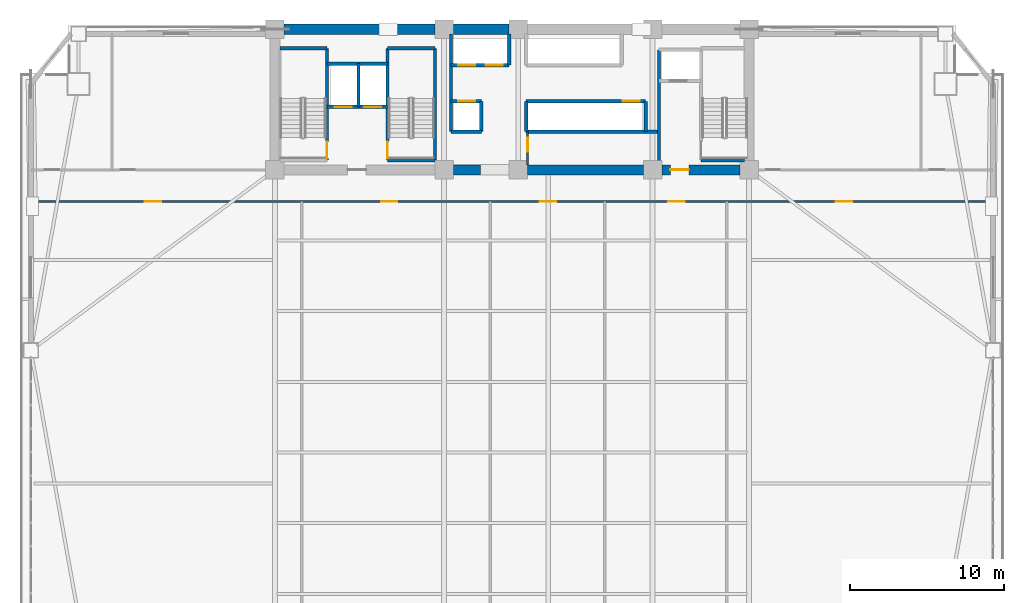
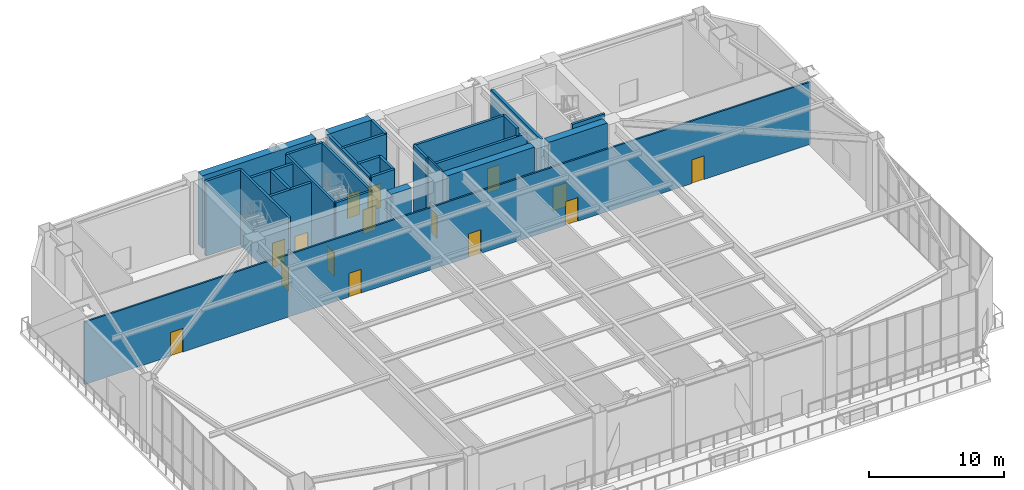
# One storey, part 15 of 22: 28 walls, 15 doors, 15 openings.
"""IFC4 building model written with IfcOpenShell, lengths in metres."""

from ifc_helpers import new_model, si_unit, direction, frame, frame_2d, origin, place, context, subcontext, project, spatial, rectangle, extrude, source, transform, mapped, material, layer, layer_set, type_object, element, fill, save


model = new_model("IFC4")

# Units and contexts
model_context = context("Model", 3, precision=1e-05, world=origin(), true_north=direction((0.0, 1.0)))
body_context = subcontext(model_context, "Body", "Model", "MODEL_VIEW")
ifc_project = project(units=[si_unit("LENGTHUNIT", "METRE"), si_unit("AREAUNIT", "SQUARE_METRE"), si_unit("VOLUMEUNIT", "CUBIC_METRE"), si_unit("PLANEANGLEUNIT", "RADIAN"), si_unit("MASSUNIT", "GRAM", prefix="KILO")], contexts=[model_context])

# Site, building, storey
site_placement = place(None, origin())
site = spatial("IfcSite", under=ifc_project, at=site_placement, CompositionType="ELEMENT")
building_placement = place(site_placement, origin())
building = spatial("IfcBuilding", under=site, at=building_placement, Name="Giltprow Tower", CompositionType="ELEMENT")
storey_placement = place(building_placement, frame((0.0, 0.0, 72.800048828125)))
storey = spatial("IfcBuildingStorey", under=building, at=storey_placement, Name="L18", CompositionType="ELEMENT", Elevation=72.800048828125)

# Wall, openings, doors
ifc_material_1 = material(Name="Gypsum stud partition", Category="gypsum")
ifc_layer_1 = layer(ifc_material_1, 0.14990234375, Name="Gypsum stud partition")
ifc_layer_set_1 = layer_set([ifc_layer_1], Name="Gypsum stud partition")
wall_type_1 = type_object("IfcWallType", Name="IW-CORR-150", PredefinedType="PARTITIONING", material=ifc_layer_set_1)
wall_1_placement = place(storey_placement, frame((4.0400390625, 35.39990234375, 0.0), z_axis=(0.0, 0.0, 1.0), x_axis=(1.0, 0.0, 0.0)))
wall_1 = element("IfcWall", 1, at=wall_1_placement, inside=storey, type_object=wall_type_1, Name="L18 Sky Lobby Concourse Wall", PredefinedType="PARTITIONING", context=body_context, shape_type="SweptSolid", body=[
    extrude(rectangle(XDim=62.321044921875, YDim=0.14990234375, at=frame_2d((31.16064453125, 0.0))), origin(), (0.0, 0.0, 1.0), 5.6650390625),
])
opening_1_placement = place(wall_1_placement, frame((7.39404296875, 0.0, 0.0)))
opening_1 = element("IfcOpeningElement", 2, at=opening_1_placement, cuts=wall_1, Name="Opening ID31", PredefinedType="OPENING", context=body_context, shape_type="SweptSolid", body=[
    extrude(rectangle(XDim=1.050048828125, YDim=2.14990234375, at=frame_2d((0.52490234375, 1.074951171875))), frame((0.0, 0.0849609375, 0.0), z_axis=(0.0, -1.0, 0.0), x_axis=(1.0, 0.0, 0.0)), (0.0, 0.0, 1.0), 0.169921875),
])
opening_2_placement = place(wall_1_placement, frame((22.68994140625, 0.0, 0.0)))
opening_2 = element("IfcOpeningElement", 3, at=opening_2_placement, cuts=wall_1, Name="Opening ID31", PredefinedType="OPENING", context=body_context, shape_type="SweptSolid", body=[
    extrude(rectangle(XDim=1.050048828125, YDim=2.14990234375, at=frame_2d((0.52490234375, 1.074951171875))), frame((0.0, 0.0849609375, 0.0), z_axis=(0.0, -1.0, 0.0), x_axis=(1.0, 0.0, 0.0)), (0.0, 0.0, 1.0), 0.169921875),
])
opening_3_placement = place(wall_1_placement, frame((32.969970703125, 0.0, 0.0)))
opening_3 = element("IfcOpeningElement", 4, at=opening_3_placement, cuts=wall_1, Name="Opening ID31", PredefinedType="OPENING", context=body_context, shape_type="SweptSolid", body=[
    extrude(rectangle(XDim=1.050048828125, YDim=2.14990234375, at=frame_2d((0.52490234375, 1.074951171875))), frame((0.0, 0.0849609375, 0.0), z_axis=(0.0, -1.0, 0.0), x_axis=(1.0, 0.0, 0.0)), (0.0, 0.0, 1.0), 0.169921875),
])
opening_4_placement = place(wall_1_placement, frame((41.2900390625, 0.0, 0.0)))
opening_4 = element("IfcOpeningElement", 5, at=opening_4_placement, cuts=wall_1, Name="Opening ID31", PredefinedType="OPENING", context=body_context, shape_type="SweptSolid", body=[
    extrude(rectangle(XDim=1.050048828125, YDim=2.14990234375, at=frame_2d((0.52490234375, 1.074951171875))), frame((0.0, 0.0849609375, 0.0), z_axis=(0.0, -1.0, 0.0), x_axis=(1.0, 0.0, 0.0)), (0.0, 0.0, 1.0), 0.169921875),
])
opening_5_placement = place(wall_1_placement, frame((52.134033203125, 0.0, 0.0)))
opening_5 = element("IfcOpeningElement", 6, at=opening_5_placement, cuts=wall_1, Name="Opening ID31", PredefinedType="OPENING", context=body_context, shape_type="SweptSolid", body=[
    extrude(rectangle(XDim=1.050048828125, YDim=2.14990234375, at=frame_2d((0.52490234375, 1.074951171875))), frame((0.0, 0.0849609375, 0.0), z_axis=(0.0, -1.0, 0.0), x_axis=(1.0, 0.0, 0.0)), (0.0, 0.0, 1.0), 0.169921875),
])
ifc_material_2 = material(Name="Engineered timber", Category="wood")
door_type_1 = type_object("IfcDoorType", Name="DR-SUITE-1050", OperationType="SINGLE_SWING_LEFT", PredefinedType="DOOR", material=ifc_material_2)
shared_shape_1 = source(origin(), body_context, "Body", "SweptSolid", [
    extrude(rectangle(XDim=1.050048828125, YDim=2.14990234375, at=frame_2d((0.52490234375, 1.074951171875))), frame((0.0, 0.02490234375, 0.0), z_axis=(0.0, -1.0, 0.0), x_axis=(1.0, 0.0, 0.0)), (0.0, 0.0, 1.0), 0.050048828125),
])
door_1_placement = place(opening_1_placement, origin())
door_1 = element("IfcDoor", 7, at=door_1_placement, inside=storey, type_object=door_type_1, Name="L18 Low-Zone Sky Conservatory Lounge Door", OperationType="SINGLE_SWING_RIGHT", OverallHeight=2.14990234375, OverallWidth=1.050048828125, PredefinedType="DOOR", context=body_context, shape_type="MappedRepresentation", body=[
    mapped(shared_shape_1, transform((0.0, 0.0, 0.0), x_axis=(1.0, 0.0, 0.0), y_axis=(0.0, 1.0, 0.0), z_axis=(0.0, 0.0, 1.0), scale=1.0)),
])
fill(opening_1, door_1)
door_2_placement = place(opening_2_placement, origin())
door_2 = element("IfcDoor", 8, at=door_2_placement, inside=storey, type_object=door_type_1, Name="L18 Executive Espresso Kitchen Door", OperationType="SINGLE_SWING_LEFT", OverallHeight=2.14990234375, OverallWidth=1.050048828125, PredefinedType="DOOR", context=body_context, shape_type="MappedRepresentation", body=[
    mapped(shared_shape_1, transform((0.0, 0.0, 0.0), x_axis=(1.0, 0.0, 0.0), y_axis=(0.0, 1.0, 0.0), z_axis=(0.0, 0.0, 1.0), scale=1.0)),
])
fill(opening_2, door_2)
door_3_placement = place(opening_3_placement, origin())
door_3 = element("IfcDoor", 9, at=door_3_placement, inside=storey, type_object=door_type_1, Name="L18 Harbour Co-Working Office Door", OperationType="SINGLE_SWING_RIGHT", OverallHeight=2.14990234375, OverallWidth=1.050048828125, PredefinedType="DOOR", context=body_context, shape_type="MappedRepresentation", body=[
    mapped(shared_shape_1, transform((0.0, 0.0, 0.0), x_axis=(1.0, 0.0, 0.0), y_axis=(0.0, 1.0, 0.0), z_axis=(0.0, 0.0, 1.0), scale=1.0)),
])
fill(opening_3, door_3)
door_4_placement = place(opening_4_placement, origin())
door_4 = element("IfcDoor", 10, at=door_4_placement, inside=storey, type_object=door_type_1, Name="L18 Board Briefing Meeting Room Door", OperationType="SINGLE_SWING_LEFT", OverallHeight=2.14990234375, OverallWidth=1.050048828125, PredefinedType="DOOR", context=body_context, shape_type="MappedRepresentation", body=[
    mapped(shared_shape_1, transform((0.0, 0.0, 0.0), x_axis=(1.0, 0.0, 0.0), y_axis=(0.0, 1.0, 0.0), z_axis=(0.0, 0.0, 1.0), scale=1.0)),
])
fill(opening_4, door_4)
door_5_placement = place(opening_5_placement, origin())
door_5 = element("IfcDoor", 11, at=door_5_placement, inside=storey, type_object=door_type_1, Name="L18 Sky Gift Boutique Shop Door", OperationType="SINGLE_SWING_RIGHT", OverallHeight=2.14990234375, OverallWidth=1.050048828125, PredefinedType="DOOR", context=body_context, shape_type="MappedRepresentation", body=[
    mapped(shared_shape_1, transform((0.0, 0.0, 0.0), x_axis=(1.0, 0.0, 0.0), y_axis=(0.0, 1.0, 0.0), z_axis=(0.0, 0.0, 1.0), scale=1.0)),
])
fill(opening_5, door_5)

ifc_material_3 = material(Name="Concrete C40", Category="concrete")
ifc_layer_2 = layer(ifc_material_3, 0.219970703125, Name="Concrete C40")
ifc_layer_set_2 = layer_set([ifc_layer_2], Name="Concrete C40")
wall_type_2 = type_object("IfcWallType", Name="IW-SHAFT-220", PredefinedType="SOLIDWALL", material=ifc_layer_set_2)
wall_2_placement = place(storey_placement, frame((23.219970703125, 41.52001953125, 0.0), z_axis=(0.0, 0.0, 1.0), x_axis=(1.0, 0.0, 0.0)))
wall_2 = element("IfcWall", 12, at=wall_2_placement, inside=storey, type_object=wall_type_2, Name="L18 FFL1 and Service Lift Front Wall", PredefinedType="SOLIDWALL", context=body_context, shape_type="SweptSolid", body=[
    extrude(rectangle(XDim=3.919921875, YDim=0.219970703125, at=frame_2d((1.9599609375, 0.0))), origin(), (0.0, 0.0, 1.0), 6.579833984375),
])
opening_6_placement = place(wall_2_placement, frame((0.5, 0.0, 0.0)))
opening_6 = element("IfcOpeningElement", 13, at=opening_6_placement, cuts=wall_2, Name="Opening LD-11", PredefinedType="OPENING", context=body_context, shape_type="SweptSolid", body=[
    extrude(rectangle(XDim=1.10009765625, YDim=2.199951171875, at=frame_2d((0.550048828125, 1.10009765625))), frame((0.0, 0.119873046875, 0.0), z_axis=(0.0, -1.0, 0.0), x_axis=(1.0, 0.0, 0.0)), (0.0, 0.0, 1.0), 0.239990234375),
])
opening_7_placement = place(wall_2_placement, frame((2.39990234375, 0.0, 0.0)))
opening_7 = element("IfcOpeningElement", 14, at=opening_7_placement, cuts=wall_2, Name="Opening LD-11", PredefinedType="OPENING", context=body_context, shape_type="SweptSolid", body=[
    extrude(rectangle(XDim=1.10009765625, YDim=2.199951171875, at=frame_2d((0.550048828125, 1.10009765625))), frame((0.0, 0.119873046875, 0.0), z_axis=(0.0, -1.0, 0.0), x_axis=(1.0, 0.0, 0.0)), (0.0, 0.0, 1.0), 0.239990234375),
])
ifc_material_4 = material(Name="Stainless steel", Category="steel")
door_type_2 = type_object("IfcDoorType", Name="DR-LIFT-LD1100", OperationType="SLIDING_TO_LEFT", PredefinedType="DOOR", material=ifc_material_4)
shared_shape_2 = source(origin(), body_context, "Body", "SweptSolid", [
    extrude(rectangle(XDim=1.10009765625, YDim=2.199951171875, at=frame_2d((0.550048828125, 1.10009765625))), frame((0.0, 0.02490234375, 0.0), z_axis=(0.0, -1.0, 0.0), x_axis=(1.0, 0.0, 0.0)), (0.0, 0.0, 1.0), 0.050048828125),
])
door_6_placement = place(opening_6_placement, origin())
door_6 = element("IfcDoor", 15, at=door_6_placement, inside=storey, type_object=door_type_2, Name="L18 FFL1 Landing Door", OperationType="SLIDING_TO_LEFT", OverallHeight=2.199951171875, OverallWidth=1.10009765625, PredefinedType="DOOR", context=body_context, shape_type="MappedRepresentation", body=[
    mapped(shared_shape_2, transform((0.0, 0.0, 0.0), x_axis=(1.0, 0.0, 0.0), y_axis=(0.0, 1.0, 0.0), z_axis=(0.0, 0.0, 1.0), scale=1.0)),
])
fill(opening_6, door_6)
door_7_placement = place(opening_7_placement, origin())
door_7 = element("IfcDoor", 16, at=door_7_placement, inside=storey, type_object=door_type_2, Name="L18 SVL1 Landing Door", OperationType="SLIDING_TO_LEFT", OverallHeight=2.199951171875, OverallWidth=1.10009765625, PredefinedType="DOOR", context=body_context, shape_type="MappedRepresentation", body=[
    mapped(shared_shape_2, transform((0.0, 0.0, 0.0), x_axis=(1.0, 0.0, 0.0), y_axis=(0.0, 1.0, 0.0), z_axis=(0.0, 0.0, 1.0), scale=1.0)),
])
fill(opening_7, door_7)

# Walls
wall_3_placement = place(storey_placement, frame((25.260009765625, 41.52001953125, 0.0), z_axis=(0.0, 0.0, 1.0), x_axis=(0.0, 1.0, 0.0)))
element("IfcWall", 17, at=wall_3_placement, inside=storey, type_object=wall_type_2, Name="L18 FFL1-SVL1 Shaft Divider", PredefinedType="SOLIDWALL", context=body_context, shape_type="SweptSolid", body=[
    extrude(rectangle(XDim=2.800048828125, YDim=0.219970703125, at=frame_2d((1.39990234375, 0.0))), origin(), (0.0, 0.0, 1.0), 6.579833984375),
])
wall_4_placement = place(storey_placement, frame((23.219970703125, 44.320068359375, 0.0), z_axis=(0.0, 0.0, 1.0), x_axis=(1.0, 0.0, 0.0)))
element("IfcWall", 18, at=wall_4_placement, inside=storey, type_object=wall_type_2, Name="L18 FFL1-SVL1 Back Shaft Wall", PredefinedType="SOLIDWALL", context=body_context, shape_type="SweptSolid", body=[
    extrude(rectangle(XDim=3.919921875, YDim=0.219970703125, at=frame_2d((1.9599609375, 0.0))), origin(), (0.0, 0.0, 1.0), 6.579833984375),
])
wall_5_placement = place(storey_placement, frame((44.719970703125, 37.7548828125, 0.0), z_axis=(0.0, 0.0, 1.0), x_axis=(0.0, 1.0, 0.0)))
element("IfcWall", 19, at=wall_5_placement, inside=storey, type_object=wall_type_2, Name="L18 East Firefighting Lobby West Wall", PredefinedType="SOLIDWALL", context=body_context, shape_type="SweptSolid", body=[
    extrude(rectangle(XDim=7.465087890625, YDim=0.219970703125, at=frame_2d((3.732421875, 0.0))), origin(), (0.0, 0.0, 1.0), 6.579833984375),
])

# Wall, openings, doors
wall_6_placement = place(storey_placement, frame((31.25, 44.219970703125, 0.0), z_axis=(0.0, 0.0, 1.0), x_axis=(1.0, 0.0, 0.0)))
wall_6 = element("IfcWall", 20, at=wall_6_placement, inside=storey, type_object=wall_type_2, Name="L18 North West Lift Shaft Front Wall", PredefinedType="SOLIDWALL", context=body_context, shape_type="SweptSolid", body=[
    extrude(rectangle(XDim=3.77001953125, YDim=0.219970703125, at=frame_2d((1.885009765625, 0.0))), origin(), (0.0, 0.0, 1.0), 6.579833984375),
])
opening_8_placement = place(wall_6_placement, frame((0.4599609375, 0.0, 0.0)))
opening_8 = element("IfcOpeningElement", 21, at=opening_8_placement, cuts=wall_6, Name="Opening LD-11", PredefinedType="OPENING", context=body_context, shape_type="SweptSolid", body=[
    extrude(rectangle(XDim=1.10009765625, YDim=2.199951171875, at=frame_2d((0.550048828125, 1.10009765625))), frame((0.0, 0.119873046875, 0.0), z_axis=(0.0, -1.0, 0.0), x_axis=(1.0, 0.0, 0.0)), (0.0, 0.0, 1.0), 0.239990234375),
])
opening_9_placement = place(wall_6_placement, frame((2.239990234375, 0.0, 0.0)))
opening_9 = element("IfcOpeningElement", 22, at=opening_9_placement, cuts=wall_6, Name="Opening LD-11", PredefinedType="OPENING", context=body_context, shape_type="SweptSolid", body=[
    extrude(rectangle(XDim=1.10009765625, YDim=2.199951171875, at=frame_2d((0.550048828125, 1.10009765625))), frame((0.0, 0.119873046875, 0.0), z_axis=(0.0, -1.0, 0.0), x_axis=(1.0, 0.0, 0.0)), (0.0, 0.0, 1.0), 0.239990234375),
])
door_8_placement = place(opening_8_placement, origin())
door_8 = element("IfcDoor", 23, at=door_8_placement, inside=storey, type_object=door_type_2, Name="L18 PL-L1 Landing Door", OperationType="SLIDING_TO_LEFT", OverallHeight=2.199951171875, OverallWidth=1.10009765625, PredefinedType="DOOR", context=body_context, shape_type="MappedRepresentation", body=[
    mapped(shared_shape_2, transform((0.0, 0.0, 0.0), x_axis=(1.0, 0.0, 0.0), y_axis=(0.0, 1.0, 0.0), z_axis=(0.0, 0.0, 1.0), scale=1.0)),
])
fill(opening_8, door_8)
door_9_placement = place(opening_9_placement, origin())
door_9 = element("IfcDoor", 24, at=door_9_placement, inside=storey, type_object=door_type_2, Name="L18 PL-L2 Landing Door", OperationType="SLIDING_TO_LEFT", OverallHeight=2.199951171875, OverallWidth=1.10009765625, PredefinedType="DOOR", context=body_context, shape_type="MappedRepresentation", body=[
    mapped(shared_shape_2, transform((0.0, 0.0, 0.0), x_axis=(1.0, 0.0, 0.0), y_axis=(0.0, 1.0, 0.0), z_axis=(0.0, 0.0, 1.0), scale=1.0)),
])
fill(opening_9, door_9)

# Wall
wall_7_placement = place(storey_placement, frame((35.02001953125, 44.219970703125, 0.0), z_axis=(0.0, 0.0, 1.0), x_axis=(0.0, 1.0, 0.0)))
element("IfcWall", 25, at=wall_7_placement, inside=storey, type_object=wall_type_2, Name="L18 North West Lift Shaft East Closure", PredefinedType="SOLIDWALL", context=body_context, shape_type="SweptSolid", body=[
    extrude(rectangle(XDim=2.025146484375, YDim=0.219970703125, at=frame_2d((1.0126953125, 0.0))), origin(), (0.0, 0.0, 1.0), 6.579833984375),
])

# Wall, opening, door
wall_8_placement = place(storey_placement, frame((31.25, 41.8798828125, 0.0), z_axis=(0.0, 0.0, 1.0), x_axis=(1.0, 0.0, 0.0)))
wall_8 = element("IfcWall", 26, at=wall_8_placement, inside=storey, type_object=wall_type_2, Name="L18 South West Lift Shaft Front Wall", PredefinedType="SOLIDWALL", context=body_context, shape_type="SweptSolid", body=[
    extrude(rectangle(XDim=1.969970703125, YDim=0.219970703125, at=frame_2d((0.98486328125, 0.0))), origin(), (0.0, 0.0, 1.0), 6.579833984375),
])
opening_10_placement = place(wall_8_placement, frame((0.4599609375, 0.0, 0.0)))
opening_10 = element("IfcOpeningElement", 27, at=opening_10_placement, cuts=wall_8, Name="Opening LD-11", PredefinedType="OPENING", context=body_context, shape_type="SweptSolid", body=[
    extrude(rectangle(XDim=1.10009765625, YDim=2.199951171875, at=frame_2d((0.550048828125, 1.10009765625))), frame((0.0, 0.119873046875, 0.0), z_axis=(0.0, -1.0, 0.0), x_axis=(1.0, 0.0, 0.0)), (0.0, 0.0, 1.0), 0.239990234375),
])
door_10_placement = place(opening_10_placement, origin())
door_10 = element("IfcDoor", 28, at=door_10_placement, inside=storey, type_object=door_type_2, Name="L18 PL-L3 Landing Door", OperationType="SLIDING_TO_LEFT", OverallHeight=2.199951171875, OverallWidth=1.10009765625, PredefinedType="DOOR", context=body_context, shape_type="MappedRepresentation", body=[
    mapped(shared_shape_2, transform((0.0, 0.0, 0.0), x_axis=(1.0, 0.0, 0.0), y_axis=(0.0, 1.0, 0.0), z_axis=(0.0, 0.0, 1.0), scale=1.0)),
])
fill(opening_10, door_10)

wall_9_placement = place(storey_placement, frame((36.1201171875, 41.8798828125, 0.0), z_axis=(0.0, 0.0, 1.0), x_axis=(1.0, 0.0, 0.0)))
wall_9 = element("IfcWall", 29, at=wall_9_placement, inside=storey, type_object=wall_type_2, Name="L18 South East Lift Shaft Front Wall", PredefinedType="SOLIDWALL", context=body_context, shape_type="SweptSolid", body=[
    extrude(rectangle(XDim=7.72998046875, YDim=0.219970703125, at=frame_2d((3.864990234375, 0.0))), origin(), (0.0, 0.0, 1.0), 6.579833984375),
])
opening_11_placement = place(wall_9_placement, frame((6.260009765625, 0.0, 0.0)))
opening_11 = element("IfcOpeningElement", 30, at=opening_11_placement, cuts=wall_9, Name="Opening LD-11", PredefinedType="OPENING", context=body_context, shape_type="SweptSolid", body=[
    extrude(rectangle(XDim=1.10009765625, YDim=2.199951171875, at=frame_2d((0.550048828125, 1.10009765625))), frame((0.0, 0.119873046875, 0.0), z_axis=(0.0, -1.0, 0.0), x_axis=(1.0, 0.0, 0.0)), (0.0, 0.0, 1.0), 0.239990234375),
])
door_11_placement = place(opening_11_placement, origin())
door_11 = element("IfcDoor", 31, at=door_11_placement, inside=storey, type_object=door_type_2, Name="L18 PL-L4 Landing Door", OperationType="SLIDING_TO_LEFT", OverallHeight=2.199951171875, OverallWidth=1.10009765625, PredefinedType="DOOR", context=body_context, shape_type="MappedRepresentation", body=[
    mapped(shared_shape_2, transform((0.0, 0.0, 0.0), x_axis=(1.0, 0.0, 0.0), y_axis=(0.0, 1.0, 0.0), z_axis=(0.0, 0.0, 1.0), scale=1.0)),
])
fill(opening_11, door_11)

# Walls
wall_10_placement = place(storey_placement, frame((31.25, 39.919921875, 0.0), z_axis=(0.0, 0.0, 1.0), x_axis=(1.0, 0.0, 0.0)))
element("IfcWall", 32, at=wall_10_placement, inside=storey, type_object=wall_type_2, Name="L18 Low-Rise South Lift Back Wall", PredefinedType="SOLIDWALL", context=body_context, shape_type="SweptSolid", body=[
    extrude(rectangle(XDim=1.969970703125, YDim=0.219970703125, at=frame_2d((0.98486328125, 0.0))), origin(), (0.0, 0.0, 1.0), 6.579833984375),
])
wall_11_placement = place(storey_placement, frame((33.219970703125, 39.919921875, 0.0), z_axis=(0.0, 0.0, 1.0), x_axis=(0.0, 1.0, 0.0)))
element("IfcWall", 33, at=wall_11_placement, inside=storey, type_object=wall_type_2, Name="L18 Low-Rise South Lift East Closure", PredefinedType="SOLIDWALL", context=body_context, shape_type="SweptSolid", body=[
    extrude(rectangle(XDim=1.9599609375, YDim=0.219970703125, at=frame_2d((0.97998046875, 0.0))), origin(), (0.0, 0.0, 1.0), 6.579833984375),
])
wall_12_placement = place(storey_placement, frame((36.1201171875, 39.919921875, 0.0), z_axis=(0.0, 0.0, 1.0), x_axis=(1.0, 0.0, 0.0)))
element("IfcWall", 34, at=wall_12_placement, inside=storey, type_object=wall_type_2, Name="L18 Express South Shaft Back Wall", PredefinedType="SOLIDWALL", context=body_context, shape_type="SweptSolid", body=[
    extrude(rectangle(XDim=8.599853515625, YDim=0.219970703125, at=frame_2d((4.2998046875, 0.0))), origin(), (0.0, 0.0, 1.0), 5.864990234375),
])
wall_13_placement = place(storey_placement, frame((36.1201171875, 39.919921875, 0.0), z_axis=(0.0, 0.0, 1.0), x_axis=(0.0, 1.0, 0.0)))
element("IfcWall", 35, at=wall_13_placement, inside=storey, type_object=wall_type_2, Name="L18 Express South Shaft West Closure", PredefinedType="SOLIDWALL", context=body_context, shape_type="SweptSolid", body=[
    extrude(rectangle(XDim=1.9599609375, YDim=0.219970703125, at=frame_2d((0.97998046875, 0.0))), origin(), (0.0, 0.0, 1.0), 6.579833984375),
])
wall_14_placement = place(storey_placement, frame((31.25, 39.919921875, 0.0), z_axis=(0.0, 0.0, 1.0), x_axis=(0.0, 1.0, 0.0)))
element("IfcWall", 36, at=wall_14_placement, inside=storey, type_object=wall_type_2, Name="L18 Lift Bank West Closure", PredefinedType="SOLIDWALL", context=body_context, shape_type="SweptSolid", body=[
    extrude(rectangle(XDim=6.3251953125, YDim=0.219970703125, at=frame_2d((3.16259765625, 0.0))), origin(), (0.0, 0.0, 1.0), 6.579833984375),
])
wall_15_placement = place(storey_placement, frame((43.85009765625, 39.919921875, 0.0), z_axis=(0.0, 0.0, 1.0), x_axis=(0.0, 1.0, 0.0)))
element("IfcWall", 37, at=wall_15_placement, inside=storey, type_object=wall_type_2, Name="L18 Lift Bank South-East Closure", PredefinedType="SOLIDWALL", context=body_context, shape_type="SweptSolid", body=[
    extrude(rectangle(XDim=1.9599609375, YDim=0.219970703125, at=frame_2d((0.97998046875, 0.0))), origin(), (0.0, 0.0, 1.0), 6.579833984375),
])

# Wall, opening, door
ifc_layer_3 = layer(ifc_material_3, 0.199951171875, Name="Concrete C40")
ifc_layer_set_3 = layer_set([ifc_layer_3], Name="Concrete C40")
wall_type_3 = type_object("IfcWallType", Name="IW-STAIR-200", PredefinedType="SOLIDWALL", material=ifc_layer_set_3)
wall_16_placement = place(storey_placement, frame((23.219970703125, 38.070068359375, 0.0), z_axis=(0.0, 0.0, 1.0), x_axis=(0.0, 1.0, 0.0)))
wall_16 = element("IfcWall", 38, at=wall_16_placement, inside=storey, type_object=wall_type_3, Name="L18 Stair ST-1 East Bearing Wall", PredefinedType="SOLIDWALL", context=body_context, shape_type="SweptSolid", body=[
    extrude(rectangle(XDim=7.25, YDim=0.199951171875, at=frame_2d((3.625, 0.0))), origin(), (0.0, 0.0, 1.0), 6.800048828125),
])
opening_12_placement = place(wall_16_placement, frame((0.110107421875, 0.0, 0.0)))
opening_12 = element("IfcOpeningElement", 39, at=opening_12_placement, cuts=wall_16, Name="Opening ID33", PredefinedType="OPENING", context=body_context, shape_type="SweptSolid", body=[
    extrude(rectangle(XDim=1.10009765625, YDim=2.14990234375, at=frame_2d((0.550048828125, 1.074951171875))), frame((0.0, 0.10986328125, 0.0), z_axis=(0.0, -1.0, 0.0), x_axis=(1.0, 0.0, 0.0)), (0.0, 0.0, 1.0), 0.219970703125),
])
ifc_material_5 = material(Name="Steel fire leaf", Category="steel")
door_type_3 = type_object("IfcDoorType", Name="DR-STAIR-1100", OperationType="SINGLE_SWING_LEFT", PredefinedType="DOOR", material=ifc_material_5)
shared_shape_3 = source(origin(), body_context, "Body", "SweptSolid", [
    extrude(rectangle(XDim=1.10009765625, YDim=2.14990234375, at=frame_2d((0.550048828125, 1.074951171875))), frame((0.0, 0.02490234375, 0.0), z_axis=(0.0, -1.0, 0.0), x_axis=(1.0, 0.0, 0.0)), (0.0, 0.0, 1.0), 0.050048828125),
])
door_12_placement = place(opening_12_placement, origin())
door_12 = element("IfcDoor", 40, at=door_12_placement, inside=storey, type_object=door_type_3, Name="L18 Stair ST-1 Fire Door", OperationType="SINGLE_SWING_RIGHT", OverallHeight=2.14990234375, OverallWidth=1.10009765625, PredefinedType="DOOR", context=body_context, shape_type="MappedRepresentation", body=[
    mapped(shared_shape_3, transform((0.0, 0.0, 0.0), x_axis=(1.0, 0.0, 0.0), y_axis=(0.0, 1.0, 0.0), z_axis=(0.0, 0.0, 1.0), scale=1.0)),
])
fill(opening_12, door_12)

# Wall
wall_17_placement = place(storey_placement, frame((20.169921875, 45.320068359375, 0.0), z_axis=(0.0, 0.0, 1.0), x_axis=(1.0, 0.0, 0.0)))
element("IfcWall", 41, at=wall_17_placement, inside=storey, type_object=wall_type_3, Name="L18 Stair ST-1 North Bearing Wall", PredefinedType="SOLIDWALL", context=body_context, shape_type="SweptSolid", body=[
    extrude(rectangle(XDim=3.050048828125, YDim=0.199951171875, at=frame_2d((1.52490234375, 0.0))), origin(), (0.0, 0.0, 1.0), 6.800048828125),
])

# Wall, opening, door
wall_18_placement = place(storey_placement, frame((27.139892578125, 38.070068359375, 0.0), z_axis=(0.0, 0.0, 1.0), x_axis=(0.0, 1.0, 0.0)))
wall_18 = element("IfcWall", 42, at=wall_18_placement, inside=storey, type_object=wall_type_3, Name="L18 Stair ST-2 West Bearing Wall", PredefinedType="SOLIDWALL", context=body_context, shape_type="SweptSolid", body=[
    extrude(rectangle(XDim=7.25, YDim=0.199951171875, at=frame_2d((3.625, 0.0))), origin(), (0.0, 0.0, 1.0), 6.800048828125),
])
opening_13_placement = place(wall_18_placement, frame((0.110107421875, 0.0, 0.0)))
opening_13 = element("IfcOpeningElement", 43, at=opening_13_placement, cuts=wall_18, Name="Opening ID33", PredefinedType="OPENING", context=body_context, shape_type="SweptSolid", body=[
    extrude(rectangle(XDim=1.10009765625, YDim=2.14990234375, at=frame_2d((0.550048828125, 1.074951171875))), frame((0.0, 0.10986328125, 0.0), z_axis=(0.0, -1.0, 0.0), x_axis=(1.0, 0.0, 0.0)), (0.0, 0.0, 1.0), 0.219970703125),
])
door_13_placement = place(opening_13_placement, origin())
door_13 = element("IfcDoor", 44, at=door_13_placement, inside=storey, type_object=door_type_3, Name="L18 Stair ST-2 Fire Door", OperationType="SINGLE_SWING_LEFT", OverallHeight=2.14990234375, OverallWidth=1.10009765625, PredefinedType="DOOR", context=body_context, shape_type="MappedRepresentation", body=[
    mapped(shared_shape_3, transform((0.0, 0.0, 0.0), x_axis=(1.0, 0.0, 0.0), y_axis=(0.0, 1.0, 0.0), z_axis=(0.0, 0.0, 1.0), scale=1.0)),
])
fill(opening_13, door_13)

# Walls
wall_19_placement = place(storey_placement, frame((30.219970703125, 38.070068359375, 0.0), z_axis=(0.0, 0.0, 1.0), x_axis=(0.0, 1.0, 0.0)))
element("IfcWall", 45, at=wall_19_placement, inside=storey, type_object=wall_type_3, Name="L18 Stair ST-2 East Bearing Wall", PredefinedType="SOLIDWALL", context=body_context, shape_type="SweptSolid", body=[
    extrude(rectangle(XDim=7.25, YDim=0.199951171875, at=frame_2d((3.625, 0.0))), origin(), (0.0, 0.0, 1.0), 6.800048828125),
])
for number, where, z_axis, x_axis, name in (
    (46, (27.139892578125, 45.320068359375, 0.0), (0.0, 0.0, 1.0), (1.0, 0.0, 0.0), "L18 Stair ST-2 North Bearing Wall"),
    (47, (27.139892578125, 38.070068359375, 0.0), (0.0, 0.0, 1.0), (1.0, 0.0, 0.0), "L18 Stair ST-2 South Bearing Wall"),
):
    element("IfcWall", number, at=place(storey_placement, frame(where, z_axis=z_axis, x_axis=x_axis)), inside=storey, type_object=wall_type_3, Name=name, PredefinedType="SOLIDWALL", context=body_context, shape_type="SweptSolid", body=[
        extrude(rectangle(XDim=3.080078125, YDim=0.199951171875, at=frame_2d((1.5400390625, 0.0))), origin(), (0.0, 0.0, 1.0), 6.800048828125),
    ])
wall_20_placement = place(storey_placement, frame((47.43994140625, 38.070068359375, 0.0), z_axis=(0.0, 0.0, 1.0), x_axis=(1.0, 0.0, 0.0)))
element("IfcWall", 48, at=wall_20_placement, inside=storey, type_object=wall_type_3, Name="L18 Stair ST-3 South Bearing Wall", PredefinedType="SOLIDWALL", context=body_context, shape_type="SweptSolid", body=[
    extrude(rectangle(XDim=2.80517578125, YDim=0.199951171875, at=frame_2d((1.402587890625, 0.0))), origin(), (0.0, 0.0, 1.0), 6.800048828125),
])

# Wall, opening, door
ifc_material_6 = material(Name="Concrete C30", Category="concrete")
ifc_layer_4 = layer(ifc_material_6, 0.1298828125, Name="Concrete C30")
ifc_layer_set_4 = layer_set([ifc_layer_4], Name="Concrete C30")
wall_type_4 = type_object("IfcWallType", Name="IW-WET-130", PredefinedType="PARTITIONING", material=ifc_layer_set_4)
wall_21_placement = place(storey_placement, frame((36.219970703125, 37.7548828125, 0.0), z_axis=(0.0, 0.0, 1.0), x_axis=(0.0, 1.0, 0.0)))
wall_21 = element("IfcWall", 49, at=wall_21_placement, inside=storey, type_object=wall_type_4, Name="L18 Core Suite West Wall", PredefinedType="PARTITIONING", context=body_context, shape_type="SweptSolid", body=[
    extrude(rectangle(XDim=2.1650390625, YDim=0.1298828125, at=frame_2d((1.08251953125, 0.0))), origin(), (0.0, 0.0, 1.0), 6.579833984375),
])
opening_14_placement = place(wall_21_placement, frame((0.85498046875, 0.0, 0.0)))
opening_14 = element("IfcOpeningElement", 50, at=opening_14_placement, cuts=wall_21, Name="Opening ID35", PredefinedType="OPENING", context=body_context, shape_type="SweptSolid", body=[
    extrude(rectangle(XDim=0.89990234375, YDim=2.10009765625, at=frame_2d((0.449951171875, 1.050048828125))), frame((0.0, 0.074951171875, 0.0), z_axis=(0.0, -1.0, 0.0), x_axis=(1.0, 0.0, 0.0)), (0.0, 0.0, 1.0), 0.14990234375),
])
door_type_4 = type_object("IfcDoorType", Name="DR-SHAFT-900", OperationType="SINGLE_SWING_LEFT", PredefinedType="DOOR", material=ifc_material_5)
shared_shape_4 = source(origin(), body_context, "Body", "SweptSolid", [
    extrude(rectangle(XDim=0.89990234375, YDim=2.10009765625, at=frame_2d((0.449951171875, 1.050048828125))), frame((0.0, 0.02490234375, 0.0), z_axis=(0.0, -1.0, 0.0), x_axis=(1.0, 0.0, 0.0)), (0.0, 0.0, 1.0), 0.050048828125),
])
door_14_placement = place(opening_14_placement, origin())
door_14 = element("IfcDoor", 51, at=door_14_placement, inside=storey, type_object=door_type_4, Name="L18 Core Staff Washroom Door", OperationType="SINGLE_SWING_RIGHT", OverallHeight=2.10009765625, OverallWidth=0.89990234375, PredefinedType="DOOR", context=body_context, shape_type="MappedRepresentation", body=[
    mapped(shared_shape_4, transform((0.0, 0.0, 0.0), x_axis=(1.0, 0.0, 0.0), y_axis=(0.0, 1.0, 0.0), z_axis=(0.0, 0.0, 1.0), scale=1.0)),
])
fill(opening_14, door_14)

# Walls
ifc_material_7 = material(Name="Concrete C60", Category="concrete")
ifc_layer_5 = layer(ifc_material_7, 0.64990234375, Name="Concrete C60")
ifc_layer_set_5 = layer_set([ifc_layer_5], Name="Concrete C60")
wall_type_5 = type_object("IfcWallType", Name="SW-EXT-650-C60", PredefinedType="SHEAR", material=ifc_layer_set_5)
wall_22_placement = place(storey_placement, frame((20.449951171875, 46.550048828125, 0.0), z_axis=(0.0, 0.0, 1.0), x_axis=(1.0, 0.0, 0.0)))
element("IfcWall", 52, at=wall_22_placement, inside=storey, type_object=wall_type_5, Name="L18 North Rear Core Shear Wall 1", PredefinedType="SHEAR", context=body_context, shape_type="SweptSolid", body=[
    extrude(rectangle(XDim=9.75, YDim=0.64990234375, at=frame_2d((4.875, 0.0))), origin(), (0.0, 0.0, 1.0), 6.579833984375),
])
wall_23_placement = place(storey_placement, frame((31.39990234375, 46.550048828125, 0.0), z_axis=(0.0, 0.0, 1.0), x_axis=(1.0, 0.0, 0.0)))
element("IfcWall", 53, at=wall_23_placement, inside=storey, type_object=wall_type_5, Name="L18 North Rear Core Shear Wall 2", PredefinedType="SHEAR", context=body_context, shape_type="SweptSolid", body=[
    extrude(rectangle(XDim=3.60009765625, YDim=0.64990234375, at=frame_2d((1.800048828125, 0.0))), origin(), (0.0, 0.0, 1.0), 6.579833984375),
])
ifc_layer_6 = layer(ifc_material_7, 0.64990234375, Name="Concrete C60")
ifc_layer_set_6 = layer_set([ifc_layer_6], Name="Concrete C60")
wall_type_6 = type_object("IfcWallType", Name="SW-INT-650-C60", PredefinedType="SHEAR", material=ifc_layer_set_6)
wall_24_placement = place(storey_placement, frame((31.39990234375, 37.449951171875, 0.0), z_axis=(0.0, 0.0, 1.0), x_axis=(1.0, 0.0, 0.0)))
element("IfcWall", 54, at=wall_24_placement, inside=storey, type_object=wall_type_6, Name="L18 South Rear Core Shear Wall Mid-West", PredefinedType="SHEAR", context=body_context, shape_type="SweptSolid", body=[
    extrude(rectangle(XDim=1.75, YDim=0.64990234375, at=frame_2d((0.875, 0.0))), origin(), (0.0, 0.0, 1.0), 6.579833984375),
])
wall_25_placement = place(storey_placement, frame((36.199951171875, 37.449951171875, 0.0), z_axis=(0.0, 0.0, 1.0), x_axis=(1.0, 0.0, 0.0)))
element("IfcWall", 55, at=wall_25_placement, inside=storey, type_object=wall_type_6, Name="L18 South Rear Core Shear Wall Mid-East", PredefinedType="SHEAR", context=body_context, shape_type="SweptSolid", body=[
    extrude(rectangle(XDim=7.5, YDim=0.64990234375, at=frame_2d((3.75, 0.0))), origin(), (0.0, 0.0, 1.0), 6.579833984375),
])

# Wall, opening, door
wall_26_placement = place(storey_placement, frame((44.89990234375, 37.449951171875, 0.0), z_axis=(0.0, 0.0, 1.0), x_axis=(1.0, 0.0, 0.0)))
wall_26 = element("IfcWall", 56, at=wall_26_placement, inside=storey, type_object=wall_type_6, Name="L18 South Rear Core Shear Wall East", PredefinedType="SHEAR", context=body_context, shape_type="SweptSolid", body=[
    extrude(rectangle(XDim=5.050048828125, YDim=0.64990234375, at=frame_2d((2.52490234375, 0.0))), origin(), (0.0, 0.0, 1.0), 6.579833984375),
])
opening_15_placement = place(wall_26_placement, frame((0.550048828125, 0.0, 0.0)))
opening_15 = element("IfcOpeningElement", 57, at=opening_15_placement, cuts=wall_26, Name="Opening ID19", PredefinedType="OPENING", context=body_context, shape_type="SweptSolid", body=[
    extrude(rectangle(XDim=1.199951171875, YDim=2.14990234375, at=frame_2d((0.60009765625, 1.074951171875))), frame((0.0, 0.3349609375, 0.0), z_axis=(0.0, -1.0, 0.0), x_axis=(1.0, 0.0, 0.0)), (0.0, 0.0, 1.0), 0.669921875),
])
door_type_5 = type_object("IfcDoorType", Name="DR-FFLOBBY-1200", OperationType="SINGLE_SWING_RIGHT", PredefinedType="DOOR", material=ifc_material_5)
shared_shape_5 = source(origin(), body_context, "Body", "SweptSolid", [
    extrude(rectangle(XDim=1.199951171875, YDim=2.14990234375, at=frame_2d((0.60009765625, 1.074951171875))), frame((0.0, 0.02490234375, 0.0), z_axis=(0.0, -1.0, 0.0), x_axis=(1.0, 0.0, 0.0)), (0.0, 0.0, 1.0), 0.050048828125),
])
door_15_placement = place(opening_15_placement, origin())
door_15 = element("IfcDoor", 58, at=door_15_placement, inside=storey, type_object=door_type_5, Name="L18 East Firefighting Lobby Entry Door", OperationType="SINGLE_SWING_RIGHT", OverallHeight=2.14990234375, OverallWidth=1.199951171875, PredefinedType="DOOR", context=body_context, shape_type="MappedRepresentation", body=[
    mapped(shared_shape_5, transform((0.0, 0.0, 0.0), x_axis=(1.0, 0.0, 0.0), y_axis=(0.0, 1.0, 0.0), z_axis=(0.0, 0.0, 1.0), scale=1.0)),
])
fill(opening_15, door_15)

save(model, "model.ifc")
